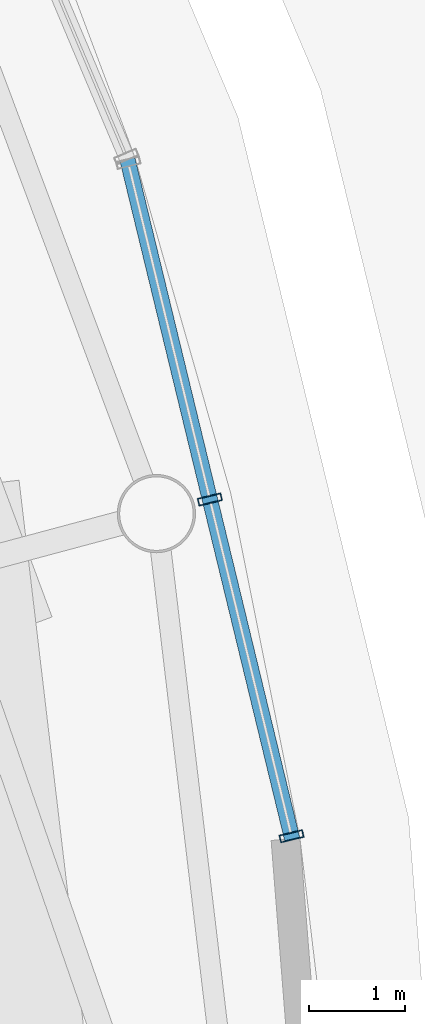
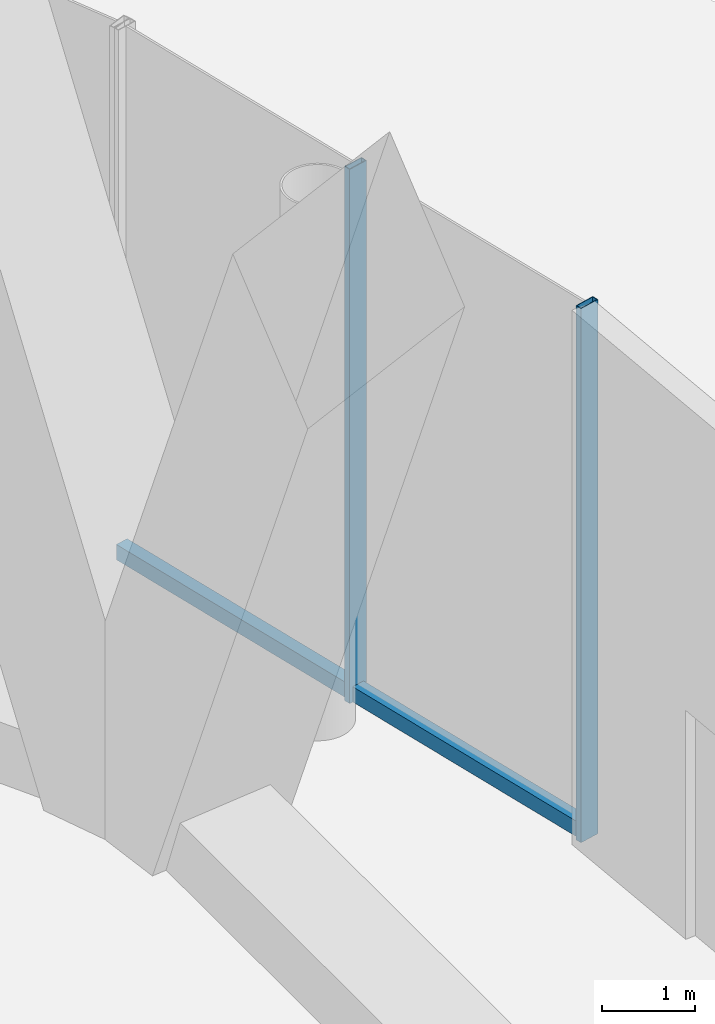
# One storey, part 38 of 67: 3 members, 1 element without a shape of its own.
"""IFC4 building model written with IfcOpenShell, lengths in metres."""

import ifcopenshell
import ifcopenshell.guid

model = None  # the IFC model being written
_history = None  # IfcOwnerHistory: only IFC2X3 demands one
_inside = {}  # id of a spatial element -> (the spatial element, [elements in it])
_under = {}  # id of a project, library or spatial element -> (it, [spatial elements below it])
_declared = {}  # id of a project -> (the project, [libraries it declares])
_typed = {}  # id of a type object -> (the type object, [elements of that type])
_made_of = {}  # id of a material, layer set ... -> (it, [elements and type objects made of it])


def new_model(schema):
    """Start an empty IFC model of exactly this schema.

    Asked for "IFC4X3", IfcOpenShell would pick the latest addendum, in which some entities
    have other attributes; the version numbers below select the first issue.
    IFC2X3 requires an IfcOwnerHistory on every rooted entity: one is made here for all.
    """
    global model, _history
    if schema == "IFC4X3":
        model = ifcopenshell.file(schema_version=(4, 3, 0, 0))
    else:
        model = ifcopenshell.file(schema=schema)
    _inside.clear()
    _under.clear()
    _declared.clear()
    _typed.clear()
    _made_of.clear()
    _history = None
    if model.schema == "IFC2X3":
        org = make("IfcOrganization", Name="unknown")
        user = make(
            "IfcPersonAndOrganization",
            ThePerson=make("IfcPerson", FamilyName="unknown"),
            TheOrganization=org,
        )
        app = make(
            "IfcApplication",
            ApplicationDeveloper=org,
            Version="unknown",
            ApplicationFullName="unknown",
            ApplicationIdentifier="unknown",
        )
        _history = make(
            "IfcOwnerHistory",
            OwningUser=user,
            OwningApplication=app,
            ChangeAction="ADDED",
            CreationDate=0,
        )
    return model


def make(cls, **values):
    """One entity of the class cls with the attributes given. An attribute that is None is left unset."""
    return model.create_entity(
        cls, **{name: value for name, value in values.items() if value is not None}
    )


def rooted(cls, **values):
    """An entity with a GlobalId (a new one), such as an element, a storey or a relation."""
    return make(cls, GlobalId=ifcopenshell.guid.new(), OwnerHistory=_history, **values)


def si_unit(unit_type, name, prefix=None):
    """IfcSIUnit, for example si_unit("LENGTHUNIT", "METRE", prefix="MILLI")."""
    return make("IfcSIUnit", UnitType=unit_type, Prefix=prefix, Name=name)


def assignment(units):
    """IfcUnitAssignment: the units of a project."""
    return None if units is None else make("IfcUnitAssignment", Units=units)


def point(xyz):
    """IfcCartesianPoint."""
    return None if xyz is None else make("IfcCartesianPoint", Coordinates=xyz)


def direction(xyz):
    """IfcDirection."""
    return None if xyz is None else make("IfcDirection", DirectionRatios=xyz)


def frame(location, z_axis=None, x_axis=None):
    """IfcAxis2Placement3D, a coordinate frame: its origin and axes. An axis left out is left unset."""
    return make(
        "IfcAxis2Placement3D",
        Location=point(location),
        Axis=direction(z_axis),
        RefDirection=direction(x_axis),
    )


def frame_2d(location, x_axis=None):
    """IfcAxis2Placement2D, a coordinate frame in the plane: its origin and x axis."""
    return make(
        "IfcAxis2Placement2D", Location=point(location), RefDirection=direction(x_axis)
    )


def origin():
    """The frame at (0, 0, 0) with its axes left unset."""
    return frame((0.0, 0.0, 0.0))


def origin_2d():
    """The frame at (0, 0) in the plane with its x axis left unset."""
    return frame_2d((0.0, 0.0))


def place(relative_to, where):
    """IfcLocalPlacement: puts the frame where relative to a parent placement (None: the world)."""
    return make(
        "IfcLocalPlacement", PlacementRelTo=relative_to, RelativePlacement=where
    )


def context(
    kind, dimensions, precision=None, world=None, true_north=None, identifier=None
):
    """IfcGeometricRepresentationContext, for example the 3D "Model" context."""
    return make(
        "IfcGeometricRepresentationContext",
        ContextIdentifier=identifier,
        ContextType=kind,
        CoordinateSpaceDimension=dimensions,
        Precision=precision,
        WorldCoordinateSystem=world,
        TrueNorth=true_north,
    )


def subcontext(parent, identifier, kind, view, scale=None):
    """IfcGeometricRepresentationSubContext, for example "Body" below "Model"."""
    return make(
        "IfcGeometricRepresentationSubContext",
        ContextIdentifier=identifier,
        ContextType=kind,
        ParentContext=parent,
        TargetScale=scale,
        TargetView=view,
    )


def project(units=None, contexts=None):
    """IfcProject with its units and contexts."""
    return rooted(
        "IfcProject",
        Name="project",
        RepresentationContexts=contexts,
        UnitsInContext=assignment(units),
    )


def spatial(cls, under=None, at=None, **own):
    """A site, building, storey or space (cls), placed at a placement, below another one or the project."""
    s = rooted(cls, ObjectPlacement=at, **own)
    if under is not None:
        _under.setdefault(under.id(), (under, []))[1].append(s)
    return s


def profile(cls, at=None, kind="AREA", **sizes):
    """A parametric profile (cls). Its sizes go by their IFC names, for example OverallWidth=200.0."""
    return make(cls, ProfileType=kind, Position=at, **sizes)


def hollow_rectangle(**sizes):
    """IfcRectangleHollowProfileDef."""
    return profile("IfcRectangleHollowProfileDef", **sizes)


def extrude(swept, where, along, depth):
    """IfcExtrudedAreaSolid: the profile swept, set in the frame where, extruded along a direction by depth."""
    return make(
        "IfcExtrudedAreaSolid",
        SweptArea=swept,
        Position=where,
        ExtrudedDirection=direction(along),
        Depth=depth,
    )


def shape(context_of_items, identifier, shape_type, items):
    """IfcShapeRepresentation: the items that make up one representation, for example the "Body"."""
    return make(
        "IfcShapeRepresentation",
        ContextOfItems=context_of_items,
        RepresentationIdentifier=identifier,
        RepresentationType=shape_type,
        Items=items,
    )


def material(Name=None, Category=None):
    """IfcMaterial."""
    return make("IfcMaterial", Name=Name, Category=Category)


def layer(
    of_material, thickness, ventilated=None, Name=None, Category=None, Priority=None
):
    """IfcMaterialLayer: one layer of a wall or slab, of a material (None: an air gap)."""
    return make(
        "IfcMaterialLayer",
        Material=of_material,
        LayerThickness=thickness,
        IsVentilated=ventilated,
        Name=Name,
        Category=Category,
        Priority=Priority,
    )


def layer_set(layers, Name=None):
    """IfcMaterialLayerSet."""
    return make("IfcMaterialLayerSet", MaterialLayers=layers, LayerSetName=Name)


def material_profile(
    of_material, cross_section, Name=None, Category=None, Priority=None
):
    """IfcMaterialProfile: a cross section and its material."""
    return make(
        "IfcMaterialProfile",
        Name=Name,
        Material=of_material,
        Profile=cross_section,
        Priority=Priority,
        Category=Category,
    )


def profile_set(profiles, Name=None, composite=None):
    """IfcMaterialProfileSet."""
    return make(
        "IfcMaterialProfileSet",
        Name=Name,
        MaterialProfiles=profiles,
        CompositeProfile=composite,
    )


def made_of(thing, what):
    """Note that an element or type object is made of a material, layer set ...; save() writes the relation."""
    if what is not None:
        _made_of.setdefault(what.id(), (what, []))[1].append(thing)
    return thing


def type_object(cls, material=None, **own):
    """A type object (cls), such as IfcWallType, which elements share."""
    return made_of(rooted(cls, **own), material)


def element(
    cls,
    number,
    at=None,
    inside=None,
    cuts=None,
    type_object=None,
    material=None,
    context=None,
    identifier="Body",
    shape_type=None,
    held_by="IfcProductDefinitionShape",
    body=None,
    shapes=None,
    **own,
):
    """One element of the class cls, such as IfcWall. Its Tag is "e" and its number.

    at: its placement. inside: the storey or other place that contains it. cuts: it is an
    opening in that element (IfcRelVoidsElement). A single representation is given by context,
    identifier, shape_type and body (its items); several are given by shapes. held_by: the class
    of the entity that holds the representations. save() writes the other relations.
    """
    e = rooted(cls, Tag="e%d" % number, ObjectPlacement=at, **own)
    if body is not None:
        shapes = [shape(context, identifier, shape_type, body)]
    if shapes is not None:
        e.Representation = make(held_by, Representations=shapes)
    if inside is not None:
        _inside.setdefault(inside.id(), (inside, []))[1].append(e)
    if cuts is not None:
        rooted(
            "IfcRelVoidsElement", RelatingBuildingElement=cuts, RelatedOpeningElement=e
        )
    if type_object is not None:
        _typed.setdefault(type_object.id(), (type_object, []))[1].append(e)
    return made_of(e, material)


def aggregate(whole, parts):
    """IfcRelAggregates: a whole, such as a stair, and the parts it consists of."""
    return rooted("IfcRelAggregates", RelatingObject=whole, RelatedObjects=parts)


def save(model, path):
    """Write the relations noted so far, then the file.

    IfcRelAggregates (storeys below a building ...), IfcRelContainedInSpatialStructure (elements
    in a storey), IfcRelDefinesByType, IfcRelAssociatesMaterial and IfcRelDeclares: one each for
    every whole, place, type object, material and project.
    """
    for whole, parts in _under.values():
        aggregate(whole, parts)
    for where, things in _inside.values():
        rooted(
            "IfcRelContainedInSpatialStructure",
            RelatedElements=things,
            RelatingStructure=where,
        )
    for kind, things in _typed.values():
        rooted("IfcRelDefinesByType", RelatedObjects=things, RelatingType=kind)
    for what, things in _made_of.values():
        rooted("IfcRelAssociatesMaterial", RelatedObjects=things, RelatingMaterial=what)
    for by, libraries in _declared.values():
        rooted("IfcRelDeclares", RelatingContext=by, RelatedDefinitions=libraries)
    model.write(path)


model = new_model("IFC4")

# Units and contexts
model_context = context("Model", 3, precision=1e-05, world=origin(), true_north=direction((0.0, 1.0)))
body_context = subcontext(model_context, "Body", "Model", "MODEL_VIEW")
ifc_project = project(units=[si_unit("LENGTHUNIT", "METRE"), si_unit("AREAUNIT", "SQUARE_METRE"), si_unit("VOLUMEUNIT", "CUBIC_METRE"), si_unit("PLANEANGLEUNIT", "RADIAN"), si_unit("MASSUNIT", "GRAM", prefix="KILO")], contexts=[model_context])

# Site, building, storey
site_placement = place(None, origin())
site = spatial("IfcSite", under=ifc_project, at=site_placement, CompositionType="ELEMENT")
building_placement = place(site_placement, origin())
building = spatial("IfcBuilding", under=site, at=building_placement, Name="Nagisa Residences", CompositionType="ELEMENT")
storey_placement = place(building_placement, origin())
storey = spatial("IfcBuildingStorey", under=building, at=storey_placement, Name="L00", CompositionType="ELEMENT", Elevation=0.0)

# Curtain wall, members
ifc_material_1 = material(Name="Stainless steel curtain wall system", Category="steel")
ifc_layer = layer(ifc_material_1, 0.159912109375)
ifc_layer_set = layer_set([ifc_layer], Name="CW3 CURTAIN WALL")
curtain_wall_type = type_object("IfcCurtainWallType", Name="CW3 CURTAIN WALL", PredefinedType="NOTDEFINED", material=ifc_layer_set)
curtain_wall_placement = place(storey_placement, origin())
curtain_wall = element("IfcCurtainWall", 1, at=curtain_wall_placement, inside=storey, type_object=curtain_wall_type, Name="cw:CW3:L00:01", PredefinedType="NOTDEFINED")
ifc_material_2 = material(Name="Stainless steel", Category="steel")
ifc_material_profile_1 = material_profile(ifc_material_2, hollow_rectangle(XDim=0.25, YDim=0.080078125, WallThickness=0.008056640625, at=origin_2d()), Name="CW3 MULLION 250x80")
ifc_profile_set_1 = profile_set([ifc_material_profile_1], Name="Stainless steel")
member_type_1 = type_object("IfcMemberType", Name="CW3 MULLION 250x80", PredefinedType="MULLION", material=ifc_profile_set_1)
member_1_placement = place(storey_placement, frame((40.935546875, 7.313232421875, 0.0), z_axis=(0.0, 0.0, 1.0), x_axis=(-0.971848775146, -0.235605514043, 0.0)))
member_1 = element("IfcMember", 2, at=member_1_placement, type_object=member_type_1, Name="CW3 mullion", PredefinedType="MULLION", context=body_context, shape_type="SweptSolid", body=[
    extrude(hollow_rectangle(XDim=0.25, YDim=0.080078125, WallThickness=0.008056640625, at=origin_2d()), origin(), (0.0, 0.0, 1.0), 7.0),
])
member_2_placement = place(storey_placement, frame((40.087646484375, 10.810302734375, 0.0), z_axis=(0.0, 0.0, 1.0), x_axis=(-0.971848775146, -0.235605514043, 0.0)))
member_2 = element("IfcMember", 3, at=member_2_placement, type_object=member_type_1, Name="CW3 mullion", PredefinedType="MULLION", context=body_context, shape_type="SweptSolid", body=[
    extrude(hollow_rectangle(XDim=0.25, YDim=0.080078125, WallThickness=0.008056640625, at=origin_2d()), origin(), (0.0, 0.0, 1.0), 7.0),
])
ifc_material_3 = material(Name="Stainless steel", Category="steel")
ifc_material_profile_2 = material_profile(ifc_material_3, hollow_rectangle(XDim=0.159912109375, YDim=0.199951171875, WallThickness=0.008056640625, at=origin_2d()), Name="CW3 TRANSOM 160x200")
ifc_profile_set_2 = profile_set([ifc_material_profile_2], Name="Stainless steel")
member_type_2 = type_object("IfcMemberType", Name="CW3 TRANSOM 160x200", PredefinedType="USERDEFINED", material=ifc_profile_set_2)
member_3_placement = place(storey_placement, frame((40.945068359375, 7.2744140625, 0.10009765625), z_axis=(-0.235637477095, 0.97184102578, 0.0), x_axis=(-0.97184102578, -0.235637477095, 0.0)))
member_3 = element("IfcMember", 4, at=member_3_placement, type_object=member_type_2, Name="CW3 transom", ObjectType="TRANSOM", PredefinedType="USERDEFINED", context=body_context, shape_type="SweptSolid", body=[
    extrude(hollow_rectangle(XDim=0.159912109375, YDim=0.199951171875, WallThickness=0.008056640625, at=origin_2d()), origin(), (0.0, 0.0, 1.0), 7.2763671875),
])
aggregate(curtain_wall, [member_1, member_2, member_3])

save(model, "model.ifc")
